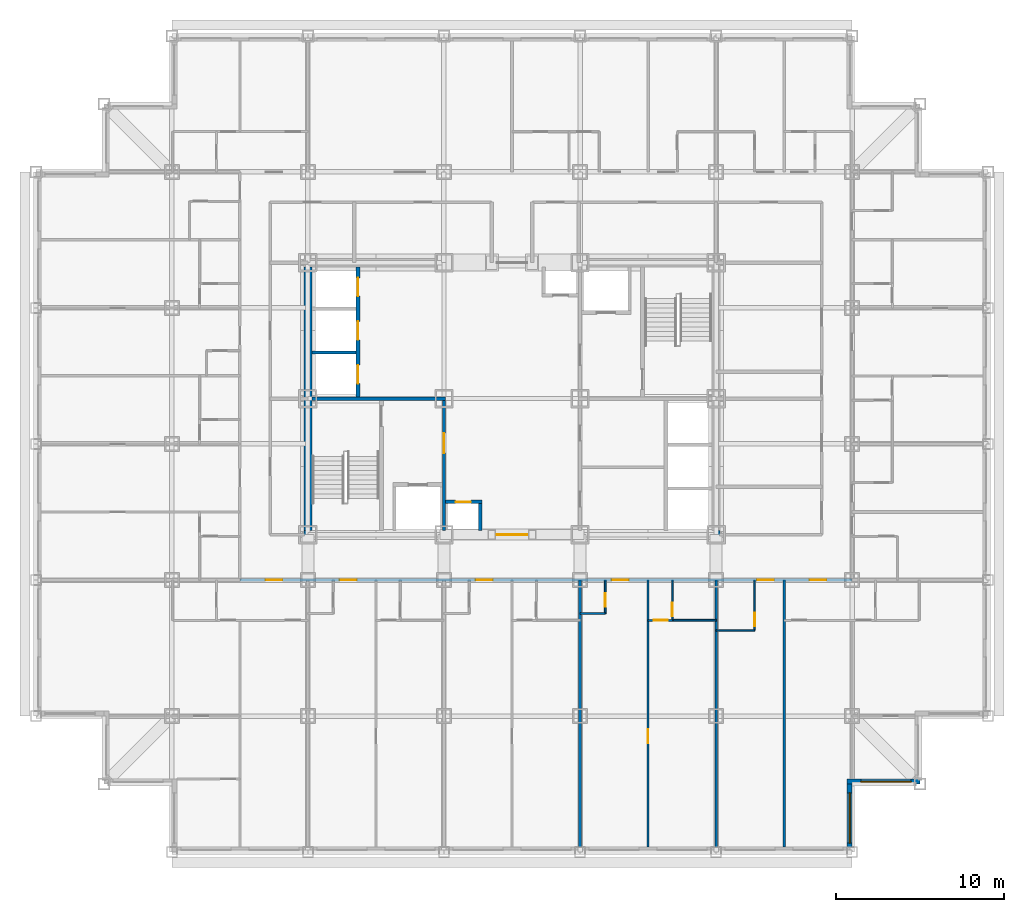
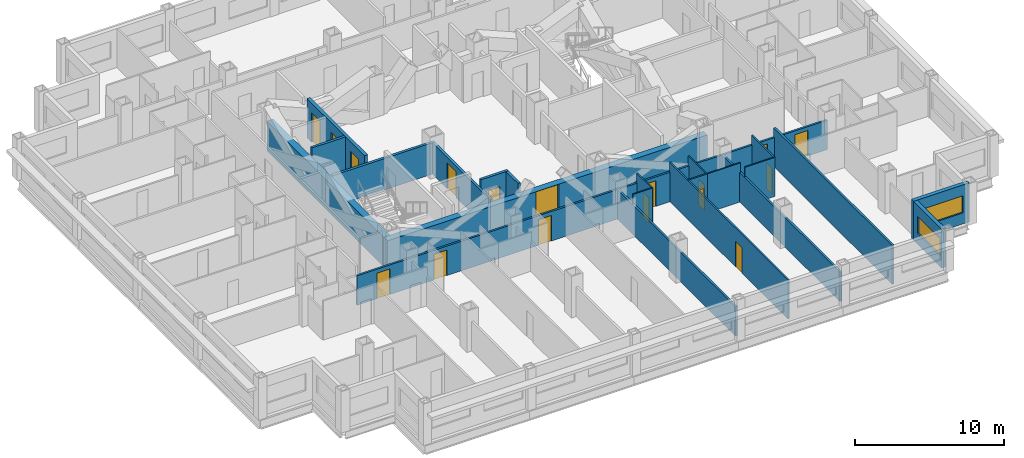
# One storey, part 6 of 12: 22 walls, 17 doors, 2 windows, 19 openings.
"""IFC4 building model written with IfcOpenShell, lengths in metres."""

from ifc_helpers import new_model, si_unit, direction, frame, frame_2d, origin, place, context, subcontext, project, spatial, rectangle, extrude, material, layer, layer_set, type_object, element, fill, save


model = new_model("IFC4")

# Units and contexts
model_context = context("Model", 3, precision=1e-05, world=origin(), true_north=direction((0.0, 1.0)))
body_context = subcontext(model_context, "Body", "Model", "MODEL_VIEW")
ifc_project = project(units=[si_unit("LENGTHUNIT", "METRE"), si_unit("AREAUNIT", "SQUARE_METRE"), si_unit("VOLUMEUNIT", "CUBIC_METRE"), si_unit("PLANEANGLEUNIT", "RADIAN"), si_unit("MASSUNIT", "GRAM", prefix="KILO")], contexts=[model_context])

# Site, building, storey
site_placement = place(None, origin())
site = spatial("IfcSite", under=ifc_project, at=site_placement, CompositionType="ELEMENT")
building_placement = place(site_placement, origin())
building = spatial("IfcBuilding", under=site, at=building_placement, Name="Kopane Lantern Tower", CompositionType="ELEMENT")
storey_placement = place(building_placement, frame((0.0, 0.0, 147.60009765625)))
storey = spatial("IfcBuildingStorey", under=building, at=storey_placement, Name="L38", CompositionType="ELEMENT", Elevation=147.60009765625)

# Wall, opening, door
ifc_material_1 = material(Name="Gypsum board on steel studs", Category="steel")
ifc_layer_1 = layer(ifc_material_1, 0.1201171875)
ifc_layer_set_1 = layer_set([ifc_layer_1], Name="APARTMENT INTERNAL WALL 120")
wall_type_1 = type_object("IfcWallType", Name="APARTMENT INTERNAL WALL 120", PredefinedType="PARTITIONING", material=ifc_layer_set_1)
wall_1_placement = place(storey_placement, frame((36.449951171875, 21.60009765625, 0.0), z_axis=(0.0, 0.0, 1.0), x_axis=(0.0, -1.0, 0.0)))
wall_1 = element("IfcWall", 1, at=wall_1_placement, inside=storey, type_object=wall_type_1, Name="Apartment Internal Wall 120 L38", PredefinedType="PARTITIONING", context=body_context, shape_type="SweptSolid", body=[
    extrude(rectangle(XDim=15.900146484375, YDim=0.1201171875, at=frame_2d((7.9501953125, 0.0))), origin(), (0.0, 0.0, 1.0), 3.18994140625),
])
opening_1_placement = place(wall_1_placement, frame((8.875, 0.0, 0.0)))
opening_1 = element("IfcOpeningElement", 2, at=opening_1_placement, cuts=wall_1, Name="Opening L38-023", PredefinedType="OPENING", context=body_context, shape_type="SweptSolid", body=[
    extrude(rectangle(XDim=0.85009765625, YDim=2.10009765625, at=frame_2d((0.425048828125, 1.050048828125))), frame((0.0, 0.070068359375, 0.0), z_axis=(0.0, -1.0, 0.0), x_axis=(1.0, 0.0, 0.0)), (0.0, 0.0, 1.0), 0.14013671875),
])
ifc_material_2 = material(Name="Timber door set", Category="wood")
door_type_1 = type_object("IfcDoorType", Name="DOOR D4 850x2100", OperationType="SINGLE_SWING_LEFT", PredefinedType="DOOR", material=ifc_material_2)
door_1_placement = place(opening_1_placement, origin())
door_1 = element("IfcDoor", 3, at=door_1_placement, inside=storey, type_object=door_type_1, Name="Door L38-023", OperationType="SINGLE_SWING_LEFT", OverallHeight=2.10009765625, OverallWidth=0.85009765625, PredefinedType="DOOR", context=body_context, shape_type="SweptSolid", body=[
    extrude(rectangle(XDim=0.85009765625, YDim=2.10009765625, at=frame_2d((0.425048828125, 1.050048828125))), frame((0.0, 0.02490234375, 0.0), z_axis=(0.0, -1.0, 0.0), x_axis=(1.0, 0.0, 0.0)), (0.0, 0.0, 1.0), 0.050048828125),
])
fill(opening_1, door_1)

wall_2_placement = place(storey_placement, frame((37.909912109375, 19.199951171875, 0.0), z_axis=(0.0, 0.0, 1.0), x_axis=(-1.0, 0.0, 0.0)))
wall_2 = element("IfcWall", 4, at=wall_2_placement, inside=storey, type_object=wall_type_1, Name="Apartment Internal Wall 120 L38", PredefinedType="PARTITIONING", context=body_context, shape_type="SweptSolid", body=[
    extrude(rectangle(XDim=1.4599609375, YDim=0.1201171875, at=frame_2d((0.72998046875, 0.0))), origin(), (0.0, 0.0, 1.0), 3.18994140625),
])
opening_2_placement = place(wall_2_placement, frame((0.27490234375, 0.0, 0.0)))
opening_2 = element("IfcOpeningElement", 5, at=opening_2_placement, cuts=wall_2, Name="Opening L38-075", PredefinedType="OPENING", context=body_context, shape_type="SweptSolid", body=[
    extrude(rectangle(XDim=0.85009765625, YDim=2.10009765625, at=frame_2d((0.425048828125, 1.050048828125))), frame((0.0, 0.070068359375, 0.0), z_axis=(0.0, -1.0, 0.0), x_axis=(1.0, 0.0, 0.0)), (0.0, 0.0, 1.0), 0.14013671875),
])
door_2_placement = place(opening_2_placement, origin())
door_2 = element("IfcDoor", 6, at=door_2_placement, inside=storey, type_object=door_type_1, Name="Door L38-075", OperationType="SINGLE_SWING_RIGHT", OverallHeight=2.10009765625, OverallWidth=0.85009765625, PredefinedType="DOOR", context=body_context, shape_type="SweptSolid", body=[
    extrude(rectangle(XDim=0.85009765625, YDim=2.10009765625, at=frame_2d((0.425048828125, 1.050048828125))), frame((0.0, 0.02490234375, 0.0), z_axis=(0.0, -1.0, 0.0), x_axis=(1.0, 0.0, 0.0)), (0.0, 0.0, 1.0), 0.050048828125),
])
fill(opening_2, door_2)

# Wall
ifc_material_3 = material(Name="Moisture-resistant board on steel studs", Category="steel")
ifc_layer_2 = layer(ifc_material_3, 0.10009765625)
ifc_layer_set_2 = layer_set([ifc_layer_2], Name="BATHROOM WALL 100")
wall_type_2 = type_object("IfcWallType", Name="BATHROOM WALL 100", PredefinedType="PARTITIONING", material=ifc_layer_set_2)
wall_3_placement = place(storey_placement, frame((32.39990234375, 19.60009765625, 0.0), z_axis=(0.0, 0.0, 1.0), x_axis=(1.0, 0.0, 0.0)))
element("IfcWall", 7, at=wall_3_placement, inside=storey, type_object=wall_type_2, Name="Bathroom Wall 100 L38", PredefinedType="PARTITIONING", context=body_context, shape_type="SweptSolid", body=[
    extrude(rectangle(XDim=1.5, YDim=0.10009765625, at=frame_2d((0.75, 0.0))), origin(), (0.0, 0.0, 1.0), 3.18994140625),
])

# Wall, opening, door
wall_4_placement = place(storey_placement, frame((33.89990234375, 21.60009765625, 0.0), z_axis=(0.0, 0.0, 1.0), x_axis=(0.0, -1.0, 0.0)))
wall_4 = element("IfcWall", 8, at=wall_4_placement, inside=storey, type_object=wall_type_2, Name="Bathroom Wall 100 L38", PredefinedType="PARTITIONING", context=body_context, shape_type="SweptSolid", body=[
    extrude(rectangle(XDim=2.0, YDim=0.10009765625, at=frame_2d((1.0, 0.0))), origin(), (0.0, 0.0, 1.0), 3.18994140625),
])
opening_3_placement = place(wall_4_placement, frame((0.800048828125, 0.0, 0.0)))
opening_3 = element("IfcOpeningElement", 9, at=opening_3_placement, cuts=wall_4, Name="Opening L38-020", PredefinedType="OPENING", context=body_context, shape_type="SweptSolid", body=[
    extrude(rectangle(XDim=0.800048828125, YDim=2.10009765625, at=frame_2d((0.39990234375, 1.050048828125))), frame((0.0, 0.06005859375, 0.0), z_axis=(0.0, -1.0, 0.0), x_axis=(1.0, 0.0, 0.0)), (0.0, 0.0, 1.0), 0.1201171875),
])
ifc_material_4 = material(Name="Timber door set", Category="wood")
door_type_2 = type_object("IfcDoorType", Name="DOOR D2 800x2100", OperationType="SINGLE_SWING_LEFT", PredefinedType="DOOR", material=ifc_material_4)
door_3_placement = place(opening_3_placement, origin())
door_3 = element("IfcDoor", 10, at=door_3_placement, inside=storey, type_object=door_type_2, Name="Door L38-020", OperationType="SINGLE_SWING_LEFT", OverallHeight=2.10009765625, OverallWidth=0.800048828125, PredefinedType="DOOR", context=body_context, shape_type="SweptSolid", body=[
    extrude(rectangle(XDim=0.800048828125, YDim=2.10009765625, at=frame_2d((0.39990234375, 1.050048828125))), frame((0.0, 0.02490234375, 0.0), z_axis=(0.0, -1.0, 0.0), x_axis=(1.0, 0.0, 0.0)), (0.0, 0.0, 1.0), 0.050048828125),
])
fill(opening_3, door_3)

# Wall
wall_5_placement = place(storey_placement, frame((37.89990234375, 19.199951171875, 0.0), z_axis=(0.0, 0.0, 1.0), x_axis=(1.0, 0.0, 0.0)))
element("IfcWall", 11, at=wall_5_placement, inside=storey, type_object=wall_type_2, Name="Bathroom Wall 100 L38", PredefinedType="PARTITIONING", context=body_context, shape_type="SweptSolid", body=[
    extrude(rectangle(XDim=2.60009765625, YDim=0.10009765625, at=frame_2d((1.300048828125, 0.0))), origin(), (0.0, 0.0, 1.0), 3.18994140625),
])

# Wall, opening, door
wall_6_placement = place(storey_placement, frame((37.89990234375, 21.60009765625, 0.0), z_axis=(0.0, 0.0, 1.0), x_axis=(0.0, -1.0, 0.0)))
wall_6 = element("IfcWall", 12, at=wall_6_placement, inside=storey, type_object=wall_type_2, Name="Bathroom Wall 100 L38", PredefinedType="PARTITIONING", context=body_context, shape_type="SweptSolid", body=[
    extrude(rectangle(XDim=2.400146484375, YDim=0.10009765625, at=frame_2d((1.2001953125, 0.0))), origin(), (0.0, 0.0, 1.0), 3.18994140625),
])
opening_4_placement = place(wall_6_placement, frame((1.35009765625, 0.0, 0.0)))
opening_4 = element("IfcOpeningElement", 13, at=opening_4_placement, cuts=wall_6, Name="Opening L38-022", PredefinedType="OPENING", context=body_context, shape_type="SweptSolid", body=[
    extrude(rectangle(XDim=0.800048828125, YDim=2.10009765625, at=frame_2d((0.39990234375, 1.050048828125))), frame((0.0, 0.06005859375, 0.0), z_axis=(0.0, -1.0, 0.0), x_axis=(1.0, 0.0, 0.0)), (0.0, 0.0, 1.0), 0.1201171875),
])
door_4_placement = place(opening_4_placement, origin())
door_4 = element("IfcDoor", 14, at=door_4_placement, inside=storey, type_object=door_type_2, Name="Door L38-022", OperationType="SINGLE_SWING_LEFT", OverallHeight=2.10009765625, OverallWidth=0.800048828125, PredefinedType="DOOR", context=body_context, shape_type="SweptSolid", body=[
    extrude(rectangle(XDim=0.800048828125, YDim=2.10009765625, at=frame_2d((0.39990234375, 1.050048828125))), frame((0.0, 0.02490234375, 0.0), z_axis=(0.0, -1.0, 0.0), x_axis=(1.0, 0.0, 0.0)), (0.0, 0.0, 1.0), 0.050048828125),
])
fill(opening_4, door_4)

# Wall
wall_7_placement = place(storey_placement, frame((40.5, 18.60009765625, 0.0), z_axis=(0.0, 0.0, 1.0), x_axis=(1.0, 0.0, 0.0)))
element("IfcWall", 15, at=wall_7_placement, inside=storey, type_object=wall_type_2, Name="Bathroom Wall 100 L38", PredefinedType="PARTITIONING", context=body_context, shape_type="SweptSolid", body=[
    extrude(rectangle(XDim=2.300048828125, YDim=0.10009765625, at=frame_2d((1.14990234375, 0.0))), origin(), (0.0, 0.0, 1.0), 3.18994140625),
])

# Wall, opening, door
wall_8_placement = place(storey_placement, frame((42.800048828125, 21.60009765625, 0.0), z_axis=(0.0, 0.0, 1.0), x_axis=(0.0, -1.0, 0.0)))
wall_8 = element("IfcWall", 16, at=wall_8_placement, inside=storey, type_object=wall_type_2, Name="Bathroom Wall 100 L38", PredefinedType="PARTITIONING", context=body_context, shape_type="SweptSolid", body=[
    extrude(rectangle(XDim=3.0, YDim=0.10009765625, at=frame_2d((1.5, 0.0))), origin(), (0.0, 0.0, 1.0), 3.18994140625),
])
opening_5_placement = place(wall_8_placement, frame((1.949951171875, 0.0, 0.0)))
opening_5 = element("IfcOpeningElement", 17, at=opening_5_placement, cuts=wall_8, Name="Opening L38-024", PredefinedType="OPENING", context=body_context, shape_type="SweptSolid", body=[
    extrude(rectangle(XDim=0.800048828125, YDim=2.10009765625, at=frame_2d((0.39990234375, 1.050048828125))), frame((0.0, 0.06005859375, 0.0), z_axis=(0.0, -1.0, 0.0), x_axis=(1.0, 0.0, 0.0)), (0.0, 0.0, 1.0), 0.1201171875),
])
door_5_placement = place(opening_5_placement, origin())
door_5 = element("IfcDoor", 18, at=door_5_placement, inside=storey, type_object=door_type_2, Name="Door L38-024", OperationType="SINGLE_SWING_LEFT", OverallHeight=2.10009765625, OverallWidth=0.800048828125, PredefinedType="DOOR", context=body_context, shape_type="SweptSolid", body=[
    extrude(rectangle(XDim=0.800048828125, YDim=2.10009765625, at=frame_2d((0.39990234375, 1.050048828125))), frame((0.0, 0.02490234375, 0.0), z_axis=(0.0, -1.0, 0.0), x_axis=(1.0, 0.0, 0.0)), (0.0, 0.0, 1.0), 0.050048828125),
])
fill(opening_5, door_5)

ifc_material_5 = material(Name="Gypsum shaft wall EI 120", Category="gypsum")
ifc_layer_3 = layer(ifc_material_5, 0.5)
ifc_layer_set_3 = layer_set([ifc_layer_3], Name="CORE PERIMETER WALL 500 EI 120")
wall_type_3 = type_object("IfcWallType", Name="CORE PERIMETER WALL 500 EI 120", PredefinedType="SOLIDWALL", material=ifc_layer_set_3)
wall_9_placement = place(storey_placement, frame((15.949951171875, 24.300048828125, 0.0), z_axis=(0.0, 0.0, 1.0), x_axis=(1.0, 0.0, 0.0)))
wall_9 = element("IfcWall", 19, at=wall_9_placement, inside=storey, type_object=wall_type_3, Name="Core shaft wall L38 PS", PredefinedType="SOLIDWALL", context=body_context, shape_type="SweptSolid", body=[
    extrude(rectangle(XDim=24.800048828125, YDim=0.5, at=frame_2d((12.39990234375, 0.0))), origin(), (0.0, 0.0, 1.0), 2.420166015625),
])
opening_6_placement = place(wall_9_placement, frame((11.5, 0.0, 0.0)))
opening_6 = element("IfcOpeningElement", 20, at=opening_6_placement, cuts=wall_9, Name="Opening 38.CE-S", PredefinedType="OPENING", context=body_context, shape_type="SweptSolid", body=[
    extrude(rectangle(XDim=1.800048828125, YDim=2.39990234375, at=frame_2d((0.89990234375, 1.199951171875))), frame((0.0, 0.260009765625, 0.0), z_axis=(0.0, -1.0, 0.0), x_axis=(1.0, 0.0, 0.0)), (0.0, 0.0, 1.0), 0.52001953125),
])
ifc_material_6 = material(Name="Steel door set", Category="steel")
door_type_3 = type_object("IfcDoorType", Name="CORE ENTRY DOOR 1800x2400 FD60S", OperationType="DOUBLE_DOOR_SINGLE_SWING", PredefinedType="DOOR", material=ifc_material_6)
door_6_placement = place(opening_6_placement, origin())
door_6 = element("IfcDoor", 21, at=door_6_placement, inside=storey, type_object=door_type_3, Name="Core entry door L38 south", OperationType="DOUBLE_DOOR_SINGLE_SWING", OverallHeight=2.39990234375, OverallWidth=1.800048828125, PredefinedType="DOOR", context=body_context, shape_type="SweptSolid", body=[
    extrude(rectangle(XDim=1.800048828125, YDim=2.39990234375, at=frame_2d((0.89990234375, 1.199951171875))), frame((0.0, 0.02490234375, 0.0), z_axis=(0.0, -1.0, 0.0), x_axis=(1.0, 0.0, 0.0)), (0.0, 0.0, 1.0), 0.050048828125),
])
fill(opening_6, door_6)

# Wall
wall_10_placement = place(storey_placement, frame((16.199951171875, 24.550048828125, 0.0), z_axis=(0.0, 0.0, 1.0), x_axis=(0.0, 1.0, 0.0)))
element("IfcWall", 22, at=wall_10_placement, inside=storey, type_object=wall_type_3, Name="Core shaft wall L38 PW", PredefinedType="SOLIDWALL", context=body_context, shape_type="SweptSolid", body=[
    extrude(rectangle(XDim=15.699951171875, YDim=0.5, at=frame_2d((7.85009765625, 0.0))), origin(), (0.0, 0.0, 1.0), 2.420166015625),
])

# Wall, openings, doors
ifc_material_7 = material(Name="Gypsum shaft wall EI 120", Category="gypsum")
ifc_layer_4 = layer(ifc_material_7, 0.25)
ifc_layer_set_4 = layer_set([ifc_layer_4], Name="CORE SHAFT WALL 250 EI 120")
wall_type_4 = type_object("IfcWallType", Name="CORE SHAFT WALL 250 EI 120", PredefinedType="SOLIDWALL", material=ifc_layer_set_4)
wall_11_placement = place(storey_placement, frame((19.175048828125, 32.5, 0.0), z_axis=(0.0, 0.0, 1.0), x_axis=(0.0, 1.0, 0.0)))
wall_11 = element("IfcWall", 23, at=wall_11_placement, inside=storey, type_object=wall_type_4, Name="Core shaft wall L38 XLH", PredefinedType="SOLIDWALL", context=body_context, shape_type="SweptSolid", body=[
    extrude(rectangle(XDim=7.75, YDim=0.25, at=frame_2d((3.875, 0.0))), origin(), (0.0, 0.0, 1.0), 3.18994140625),
])
opening_7_placement = place(wall_11_placement, frame((0.800048828125, 0.0, 0.0)))
opening_7 = element("IfcOpeningElement", 24, at=opening_7_placement, cuts=wall_11, Name="Opening 38.LD-LH1", PredefinedType="OPENING", context=body_context, shape_type="SweptSolid", body=[
    extrude(rectangle(XDim=1.10009765625, YDim=2.39990234375, at=frame_2d((0.550048828125, 1.199951171875))), frame((0.0, 0.135009765625, 0.0), z_axis=(0.0, -1.0, 0.0), x_axis=(1.0, 0.0, 0.0)), (0.0, 0.0, 1.0), 0.27001953125),
])
opening_8_placement = place(wall_11_placement, frame((3.39990234375, 0.0, 0.0)))
opening_8 = element("IfcOpeningElement", 25, at=opening_8_placement, cuts=wall_11, Name="Opening 38.LD-LH2", PredefinedType="OPENING", context=body_context, shape_type="SweptSolid", body=[
    extrude(rectangle(XDim=1.10009765625, YDim=2.39990234375, at=frame_2d((0.550048828125, 1.199951171875))), frame((0.0, 0.135009765625, 0.0), z_axis=(0.0, -1.0, 0.0), x_axis=(1.0, 0.0, 0.0)), (0.0, 0.0, 1.0), 0.27001953125),
])
opening_9_placement = place(wall_11_placement, frame((6.0, 0.0, 0.0)))
opening_9 = element("IfcOpeningElement", 26, at=opening_9_placement, cuts=wall_11, Name="Opening 38.LD-LH3", PredefinedType="OPENING", context=body_context, shape_type="SweptSolid", body=[
    extrude(rectangle(XDim=1.10009765625, YDim=2.39990234375, at=frame_2d((0.550048828125, 1.199951171875))), frame((0.0, 0.135009765625, 0.0), z_axis=(0.0, -1.0, 0.0), x_axis=(1.0, 0.0, 0.0)), (0.0, 0.0, 1.0), 0.27001953125),
])
ifc_material_8 = material(Name="Steel door set", Category="steel")
door_type_4 = type_object("IfcDoorType", Name="LIFT LANDING DOOR 1100x2400 FD60", OperationType="DOUBLE_DOOR_SLIDING", PredefinedType="DOOR", material=ifc_material_8)
door_7_placement = place(opening_7_placement, origin())
door_7 = element("IfcDoor", 27, at=door_7_placement, inside=storey, type_object=door_type_4, Name="Landing door LH1 L38", OperationType="DOUBLE_DOOR_SLIDING", OverallHeight=2.39990234375, OverallWidth=1.10009765625, PredefinedType="DOOR", context=body_context, shape_type="SweptSolid", body=[
    extrude(rectangle(XDim=1.10009765625, YDim=2.39990234375, at=frame_2d((0.550048828125, 1.199951171875))), frame((0.0, 0.02490234375, 0.0), z_axis=(0.0, -1.0, 0.0), x_axis=(1.0, 0.0, 0.0)), (0.0, 0.0, 1.0), 0.050048828125),
])
fill(opening_7, door_7)
door_8_placement = place(opening_8_placement, origin())
door_8 = element("IfcDoor", 28, at=door_8_placement, inside=storey, type_object=door_type_4, Name="Landing door LH2 L38", OperationType="DOUBLE_DOOR_SLIDING", OverallHeight=2.39990234375, OverallWidth=1.10009765625, PredefinedType="DOOR", context=body_context, shape_type="SweptSolid", body=[
    extrude(rectangle(XDim=1.10009765625, YDim=2.39990234375, at=frame_2d((0.550048828125, 1.199951171875))), frame((0.0, 0.02490234375, 0.0), z_axis=(0.0, -1.0, 0.0), x_axis=(1.0, 0.0, 0.0)), (0.0, 0.0, 1.0), 0.050048828125),
])
fill(opening_8, door_8)
door_9_placement = place(opening_9_placement, origin())
door_9 = element("IfcDoor", 29, at=door_9_placement, inside=storey, type_object=door_type_4, Name="Landing door LH3 L38", OperationType="DOUBLE_DOOR_SLIDING", OverallHeight=2.39990234375, OverallWidth=1.10009765625, PredefinedType="DOOR", context=body_context, shape_type="SweptSolid", body=[
    extrude(rectangle(XDim=1.10009765625, YDim=2.39990234375, at=frame_2d((0.550048828125, 1.199951171875))), frame((0.0, 0.02490234375, 0.0), z_axis=(0.0, -1.0, 0.0), x_axis=(1.0, 0.0, 0.0)), (0.0, 0.0, 1.0), 0.050048828125),
])
fill(opening_9, door_9)

ifc_material_9 = material(Name="Gypsum board on steel studs", Category="steel")
ifc_layer_5 = layer(ifc_material_9, 0.14990234375)
ifc_layer_set_5 = layer_set([ifc_layer_5], Name="CORRIDOR WALL 150 EI 60")
wall_type_5 = type_object("IfcWallType", Name="CORRIDOR WALL 150 EI 60", PredefinedType="PARTITIONING", material=ifc_layer_set_5)
wall_12_placement = place(storey_placement, frame((12.14990234375, 21.60009765625, 0.0), z_axis=(0.0, 0.0, 1.0), x_axis=(1.0, 0.0, 0.0)))
wall_12 = element("IfcWall", 30, at=wall_12_placement, inside=storey, type_object=wall_type_5, Name="Corridor Wall 150 Ei 60 L38", PredefinedType="PARTITIONING", context=body_context, shape_type="SweptSolid", body=[
    extrude(rectangle(XDim=36.4501953125, YDim=0.14990234375, at=frame_2d((18.22509765625, 0.0))), origin(), (0.0, 0.0, 1.0), 2.420166015625),
])
opening_10_placement = place(wall_12_placement, frame((5.949951171875, 0.0, 0.0)))
opening_10 = element("IfcOpeningElement", 31, at=opening_10_placement, cuts=wall_12, Name="Opening L38-013", PredefinedType="OPENING", context=body_context, shape_type="SweptSolid", body=[
    extrude(rectangle(XDim=1.0, YDim=2.10009765625, at=frame_2d((0.5, 1.050048828125))), frame((0.0, 0.0849609375, 0.0), z_axis=(0.0, -1.0, 0.0), x_axis=(1.0, 0.0, 0.0)), (0.0, 0.0, 1.0), 0.169921875),
])
opening_11_placement = place(wall_12_placement, frame((14.050048828125, 0.0, 0.0)))
opening_11 = element("IfcOpeningElement", 32, at=opening_11_placement, cuts=wall_12, Name="Opening L38-017", PredefinedType="OPENING", context=body_context, shape_type="SweptSolid", body=[
    extrude(rectangle(XDim=1.0, YDim=2.10009765625, at=frame_2d((0.5, 1.050048828125))), frame((0.0, 0.0849609375, 0.0), z_axis=(0.0, -1.0, 0.0), x_axis=(1.0, 0.0, 0.0)), (0.0, 0.0, 1.0), 0.169921875),
])
opening_12_placement = place(wall_12_placement, frame((22.14990234375, 0.0, 0.0)))
opening_12 = element("IfcOpeningElement", 33, at=opening_12_placement, cuts=wall_12, Name="Opening L38-021", PredefinedType="OPENING", context=body_context, shape_type="SweptSolid", body=[
    extrude(rectangle(XDim=1.0, YDim=2.10009765625, at=frame_2d((0.5, 1.050048828125))), frame((0.0, 0.0849609375, 0.0), z_axis=(0.0, -1.0, 0.0), x_axis=(1.0, 0.0, 0.0)), (0.0, 0.0, 1.0), 0.169921875),
])
opening_13_placement = place(wall_12_placement, frame((30.800048828125, 0.0, 0.0)))
opening_13 = element("IfcOpeningElement", 34, at=opening_13_placement, cuts=wall_12, Name="Opening L38-025", PredefinedType="OPENING", context=body_context, shape_type="SweptSolid", body=[
    extrude(rectangle(XDim=1.0, YDim=2.10009765625, at=frame_2d((0.5, 1.050048828125))), frame((0.0, 0.0849609375, 0.0), z_axis=(0.0, -1.0, 0.0), x_axis=(1.0, 0.0, 0.0)), (0.0, 0.0, 1.0), 0.169921875),
])
opening_14_placement = place(wall_12_placement, frame((1.52490234375, 0.0, 0.0)))
opening_14 = element("IfcOpeningElement", 35, at=opening_14_placement, cuts=wall_12, Name="Opening L38-056", PredefinedType="OPENING", context=body_context, shape_type="SweptSolid", body=[
    extrude(rectangle(XDim=1.0, YDim=2.10009765625, at=frame_2d((0.5, 1.050048828125))), frame((0.0, 0.0849609375, 0.0), z_axis=(0.0, -1.0, 0.0), x_axis=(1.0, 0.0, 0.0)), (0.0, 0.0, 1.0), 0.169921875),
])
opening_15_placement = place(wall_12_placement, frame((33.925048828125, 0.0, 0.0)))
opening_15 = element("IfcOpeningElement", 36, at=opening_15_placement, cuts=wall_12, Name="Opening L38-061", PredefinedType="OPENING", context=body_context, shape_type="SweptSolid", body=[
    extrude(rectangle(XDim=1.0, YDim=2.10009765625, at=frame_2d((0.5, 1.050048828125))), frame((0.0, 0.0849609375, 0.0), z_axis=(0.0, -1.0, 0.0), x_axis=(1.0, 0.0, 0.0)), (0.0, 0.0, 1.0), 0.169921875),
])
ifc_material_10 = material(Name="Steel door set", Category="steel")
door_type_5 = type_object("IfcDoorType", Name="DOOR D1 1000x2100 FD30S", OperationType="SINGLE_SWING_LEFT", PredefinedType="DOOR", material=ifc_material_10)
door_10_placement = place(opening_10_placement, origin())
door_10 = element("IfcDoor", 37, at=door_10_placement, inside=storey, type_object=door_type_5, Name="Door L38-013", OperationType="SINGLE_SWING_RIGHT", OverallHeight=2.10009765625, OverallWidth=1.0, PredefinedType="DOOR", context=body_context, shape_type="SweptSolid", body=[
    extrude(rectangle(XDim=1.0, YDim=2.10009765625, at=frame_2d((0.5, 1.050048828125))), frame((0.0, 0.02490234375, 0.0), z_axis=(0.0, -1.0, 0.0), x_axis=(1.0, 0.0, 0.0)), (0.0, 0.0, 1.0), 0.050048828125),
])
fill(opening_10, door_10)
door_11_placement = place(opening_11_placement, origin())
door_11 = element("IfcDoor", 38, at=door_11_placement, inside=storey, type_object=door_type_5, Name="Door L38-017", OperationType="SINGLE_SWING_RIGHT", OverallHeight=2.10009765625, OverallWidth=1.0, PredefinedType="DOOR", context=body_context, shape_type="SweptSolid", body=[
    extrude(rectangle(XDim=1.0, YDim=2.10009765625, at=frame_2d((0.5, 1.050048828125))), frame((0.0, 0.02490234375, 0.0), z_axis=(0.0, -1.0, 0.0), x_axis=(1.0, 0.0, 0.0)), (0.0, 0.0, 1.0), 0.050048828125),
])
fill(opening_11, door_11)
door_12_placement = place(opening_12_placement, origin())
door_12 = element("IfcDoor", 39, at=door_12_placement, inside=storey, type_object=door_type_5, Name="Door L38-021", OperationType="SINGLE_SWING_RIGHT", OverallHeight=2.10009765625, OverallWidth=1.0, PredefinedType="DOOR", context=body_context, shape_type="SweptSolid", body=[
    extrude(rectangle(XDim=1.0, YDim=2.10009765625, at=frame_2d((0.5, 1.050048828125))), frame((0.0, 0.02490234375, 0.0), z_axis=(0.0, -1.0, 0.0), x_axis=(1.0, 0.0, 0.0)), (0.0, 0.0, 1.0), 0.050048828125),
])
fill(opening_12, door_12)
door_13_placement = place(opening_13_placement, origin())
door_13 = element("IfcDoor", 40, at=door_13_placement, inside=storey, type_object=door_type_5, Name="Door L38-025", OperationType="SINGLE_SWING_RIGHT", OverallHeight=2.10009765625, OverallWidth=1.0, PredefinedType="DOOR", context=body_context, shape_type="SweptSolid", body=[
    extrude(rectangle(XDim=1.0, YDim=2.10009765625, at=frame_2d((0.5, 1.050048828125))), frame((0.0, 0.02490234375, 0.0), z_axis=(0.0, -1.0, 0.0), x_axis=(1.0, 0.0, 0.0)), (0.0, 0.0, 1.0), 0.050048828125),
])
fill(opening_13, door_13)
door_14_placement = place(opening_14_placement, origin())
door_14 = element("IfcDoor", 41, at=door_14_placement, inside=storey, type_object=door_type_5, Name="Door L38-056", OperationType="SINGLE_SWING_LEFT", OverallHeight=2.10009765625, OverallWidth=1.0, PredefinedType="DOOR", context=body_context, shape_type="SweptSolid", body=[
    extrude(rectangle(XDim=1.0, YDim=2.10009765625, at=frame_2d((0.5, 1.050048828125))), frame((0.0, 0.02490234375, 0.0), z_axis=(0.0, -1.0, 0.0), x_axis=(1.0, 0.0, 0.0)), (0.0, 0.0, 1.0), 0.050048828125),
])
fill(opening_14, door_14)
door_15_placement = place(opening_15_placement, origin())
door_15 = element("IfcDoor", 42, at=door_15_placement, inside=storey, type_object=door_type_5, Name="Door L38-061", OperationType="SINGLE_SWING_RIGHT", OverallHeight=2.10009765625, OverallWidth=1.0, PredefinedType="DOOR", context=body_context, shape_type="SweptSolid", body=[
    extrude(rectangle(XDim=1.0, YDim=2.10009765625, at=frame_2d((0.5, 1.050048828125))), frame((0.0, 0.02490234375, 0.0), z_axis=(0.0, -1.0, 0.0), x_axis=(1.0, 0.0, 0.0)), (0.0, 0.0, 1.0), 0.050048828125),
])
fill(opening_15, door_15)

# Walls
ifc_material_11 = material(Name="Gypsum board on steel studs", Category="steel")
ifc_layer_6 = layer(ifc_material_11, 0.14990234375)
ifc_layer_set_6 = layer_set([ifc_layer_6], Name="DEMISING WALL 150 EI 60")
wall_type_6 = type_object("IfcWallType", Name="DEMISING WALL 150 EI 60", PredefinedType="PARTITIONING", material=ifc_layer_set_6)
for number, where, z_axis, x_axis, name in (
    (43, (32.39990234375, 21.60009765625, 0.0), (0.0, 0.0, 1.0), (0.0, -1.0, 0.0), "Demising Wall 150 Ei 60 L38"),
    (44, (40.5, 21.60009765625, 0.0), (0.0, 0.0, 1.0), (0.0, -1.0, 0.0), "Demising Wall 150 Ei 60 L38"),
):
    element("IfcWall", number, at=place(storey_placement, frame(where, z_axis=z_axis, x_axis=x_axis)), inside=storey, type_object=wall_type_6, Name=name, PredefinedType="PARTITIONING", context=body_context, shape_type="SweptSolid", body=[
        extrude(rectangle(XDim=15.900146484375, YDim=0.14990234375, at=frame_2d((7.9501953125, 0.0))), origin(), (0.0, 0.0, 1.0), 2.420166015625),
    ])
wall_13_placement = place(storey_placement, frame((44.550048828125, 21.60009765625, 0.0), z_axis=(0.0, 0.0, 1.0), x_axis=(0.0, -1.0, 0.0)))
element("IfcWall", 45, at=wall_13_placement, inside=storey, type_object=wall_type_6, Name="Demising Wall 150 Ei 60 L38", PredefinedType="PARTITIONING", context=body_context, shape_type="SweptSolid", body=[
    extrude(rectangle(XDim=15.900146484375, YDim=0.14990234375, at=frame_2d((7.9501953125, 0.0))), origin(), (0.0, 0.0, 1.0), 3.18994140625),
])

# Wall, opening, window
ifc_material_12 = material(Name="Terracotta rainscreen on light steel framing", Category="masonry")
ifc_layer_7 = layer(ifc_material_12, 0.300048828125)
ifc_layer_set_7 = layer_set([ifc_layer_7], Name="EXTERNAL WALL EW1 300 TERRACOTTA")
wall_type_7 = type_object("IfcWallType", Name="EXTERNAL WALL EW1 300 TERRACOTTA", PredefinedType="SOLIDWALL", material=ifc_layer_set_7)
wall_14_placement = place(storey_placement, frame((48.449951171875, 5.699951171875, 0.0), z_axis=(0.0, 0.0, 1.0), x_axis=(0.0, 1.0, 0.0)))
wall_14 = element("IfcWall", 46, at=wall_14_placement, inside=storey, type_object=wall_type_7, Name="External wall E L38", PredefinedType="SOLIDWALL", context=body_context, shape_type="SweptSolid", body=[
    extrude(rectangle(XDim=3.75, YDim=0.300048828125, at=frame_2d((1.875, 0.0))), origin(), (0.0, 0.0, 1.0), 3.18994140625),
])
opening_16_placement = place(wall_14_placement, frame((0.22509765625, 0.0, 0.89990234375)))
opening_16 = element("IfcOpeningElement", 47, at=opening_16_placement, cuts=wall_14, Name="Opening WR300140", PredefinedType="OPENING", context=body_context, shape_type="SweptSolid", body=[
    extrude(rectangle(XDim=3.0, YDim=1.39990234375, at=frame_2d((1.5, 0.699951171875))), frame((0.0, 0.159912109375, 0.0), z_axis=(0.0, -1.0, 0.0), x_axis=(1.0, 0.0, 0.0)), (0.0, 0.0, 1.0), 0.320068359375),
])
ifc_material_13 = material(Name="Aluminium and clear glass", Category="aluminium")
window_type = type_object("IfcWindowType", Name="RIBBON WINDOW WR300140 3000x1400", PartitioningType="SINGLE_PANEL", PredefinedType="WINDOW", material=ifc_material_13)
window_1_placement = place(opening_16_placement, origin())
window_1 = element("IfcWindow", 48, at=window_1_placement, inside=storey, type_object=window_type, Name="Window E L38", OverallHeight=1.39990234375, OverallWidth=3.0, PartitioningType="SINGLE_PANEL", PredefinedType="WINDOW", context=body_context, shape_type="SweptSolid", body=[
    extrude(rectangle(XDim=3.0, YDim=1.39990234375, at=frame_2d((1.5, 0.699951171875))), frame((0.0, 0.030029296875, 0.0), z_axis=(0.0, -1.0, 0.0), x_axis=(1.0, 0.0, 0.0)), (0.0, 0.0, 1.0), 0.06005859375),
])
fill(opening_16, window_1)

wall_15_placement = place(storey_placement, frame((48.300048828125, 9.60009765625, 0.0), z_axis=(0.0, 0.0, 1.0), x_axis=(1.0, 0.0, 0.0)))
wall_15 = element("IfcWall", 49, at=wall_15_placement, inside=storey, type_object=wall_type_7, Name="External wall S L38", PredefinedType="SOLIDWALL", context=body_context, shape_type="SweptSolid", body=[
    extrude(rectangle(XDim=4.349853515625, YDim=0.300048828125, at=frame_2d((2.1748046875, 0.0))), origin(), (0.0, 0.0, 1.0), 3.18994140625),
])
opening_17_placement = place(wall_15_placement, frame((0.824951171875, 0.0, 0.89990234375)))
opening_17 = element("IfcOpeningElement", 50, at=opening_17_placement, cuts=wall_15, Name="Opening WR300140", PredefinedType="OPENING", context=body_context, shape_type="SweptSolid", body=[
    extrude(rectangle(XDim=3.0, YDim=1.39990234375, at=frame_2d((1.5, 0.699951171875))), frame((0.0, 0.159912109375, 0.0), z_axis=(0.0, -1.0, 0.0), x_axis=(1.0, 0.0, 0.0)), (0.0, 0.0, 1.0), 0.320068359375),
])
window_2_placement = place(opening_17_placement, origin())
window_2 = element("IfcWindow", 51, at=window_2_placement, inside=storey, type_object=window_type, Name="Window S L38", OverallHeight=1.39990234375, OverallWidth=3.0, PartitioningType="SINGLE_PANEL", PredefinedType="WINDOW", context=body_context, shape_type="SweptSolid", body=[
    extrude(rectangle(XDim=3.0, YDim=1.39990234375, at=frame_2d((1.5, 0.699951171875))), frame((0.0, 0.030029296875, 0.0), z_axis=(0.0, -1.0, 0.0), x_axis=(1.0, 0.0, 0.0)), (0.0, 0.0, 1.0), 0.06005859375),
])
fill(opening_17, window_2)

# Wall
ifc_material_14 = material(Name="Gypsum shaft wall EI 120", Category="gypsum")
ifc_layer_8 = layer(ifc_material_14, 0.199951171875)
ifc_layer_set_8 = layer_set([ifc_layer_8], Name="SHAFT WALL 200 EI 120")
wall_type_8 = type_object("IfcWallType", Name="SHAFT WALL 200 EI 120", PredefinedType="SOLIDWALL", material=ifc_layer_set_8)
wall_16_placement = place(storey_placement, frame((16.449951171875, 32.39990234375, 0.0), z_axis=(0.0, 0.0, 1.0), x_axis=(1.0, 0.0, 0.0)))
element("IfcWall", 52, at=wall_16_placement, inside=storey, type_object=wall_type_8, Name="Core shaft wall L38 Y324W", PredefinedType="SOLIDWALL", context=body_context, shape_type="SweptSolid", body=[
    extrude(rectangle(XDim=7.949951171875, YDim=0.199951171875, at=frame_2d((3.97509765625, 0.0))), origin(), (0.0, 0.0, 1.0), 2.57763671875),
])

# Wall, opening, door
wall_17_placement = place(storey_placement, frame((24.300048828125, 24.550048828125, 0.0), z_axis=(0.0, 0.0, 1.0), x_axis=(0.0, 1.0, 0.0)))
wall_17 = element("IfcWall", 53, at=wall_17_placement, inside=storey, type_object=wall_type_8, Name="Core shaft wall L38 X243", PredefinedType="SOLIDWALL", context=body_context, shape_type="SweptSolid", body=[
    extrude(rectangle(XDim=7.75, YDim=0.199951171875, at=frame_2d((3.875, 0.0))), origin(), (0.0, 0.0, 1.0), 2.57763671875),
])
opening_18_placement = place(wall_17_placement, frame((4.60009765625, 0.0, 0.0)))
opening_18 = element("IfcOpeningElement", 54, at=opening_18_placement, cuts=wall_17, Name="Opening 38.FL1", PredefinedType="OPENING", context=body_context, shape_type="SweptSolid", body=[
    extrude(rectangle(XDim=1.199951171875, YDim=2.10009765625, at=frame_2d((0.60009765625, 1.050048828125))), frame((0.0, 0.10986328125, 0.0), z_axis=(0.0, -1.0, 0.0), x_axis=(1.0, 0.0, 0.0)), (0.0, 0.0, 1.0), 0.219970703125),
])
ifc_material_15 = material(Name="Steel door set", Category="steel")
door_type_6 = type_object("IfcDoorType", Name="FIREFIGHTING LOBBY DOOR 1200x2100 FD60S", OperationType="SINGLE_SWING_RIGHT", PredefinedType="DOOR", material=ifc_material_15)
door_16_placement = place(opening_18_placement, origin())
door_16 = element("IfcDoor", 55, at=door_16_placement, inside=storey, type_object=door_type_6, Name="Firefighting lobby door FL1 L38", OperationType="SINGLE_SWING_LEFT", OverallHeight=2.10009765625, OverallWidth=1.199951171875, PredefinedType="DOOR", context=body_context, shape_type="SweptSolid", body=[
    extrude(rectangle(XDim=1.199951171875, YDim=2.10009765625, at=frame_2d((0.60009765625, 1.050048828125))), frame((0.0, 0.02490234375, 0.0), z_axis=(0.0, -1.0, 0.0), x_axis=(1.0, 0.0, 0.0)), (0.0, 0.0, 1.0), 0.050048828125),
])
fill(opening_18, door_16)

# Walls
wall_18_placement = place(storey_placement, frame((16.449951171875, 35.14990234375, 0.0), z_axis=(0.0, 0.0, 1.0), x_axis=(1.0, 0.0, 0.0)))
element("IfcWall", 56, at=wall_18_placement, inside=storey, type_object=wall_type_8, Name="Core shaft wall L38 YLH12", PredefinedType="SOLIDWALL", context=body_context, shape_type="SweptSolid", body=[
    extrude(rectangle(XDim=2.60009765625, YDim=0.199951171875, at=frame_2d((1.300048828125, 0.0))), origin(), (0.0, 0.0, 1.0), 3.18994140625),
])
wall_19_placement = place(storey_placement, frame((26.449951171875, 24.550048828125, 0.0), z_axis=(0.0, 0.0, 1.0), x_axis=(0.0, 1.0, 0.0)))
element("IfcWall", 57, at=wall_19_placement, inside=storey, type_object=wall_type_8, Name="Core shaft wall L38 XRS1", PredefinedType="SOLIDWALL", context=body_context, shape_type="SweptSolid", body=[
    extrude(rectangle(XDim=1.599853515625, YDim=0.199951171875, at=frame_2d((0.7998046875, 0.0))), origin(), (0.0, 0.0, 1.0), 3.18994140625),
])

# Wall, opening, door
wall_20_placement = place(storey_placement, frame((24.39990234375, 26.25, 0.0), z_axis=(0.0, 0.0, 1.0), x_axis=(1.0, 0.0, 0.0)))
wall_20 = element("IfcWall", 58, at=wall_20_placement, inside=storey, type_object=wall_type_8, Name="Core shaft wall L38 YRS1", PredefinedType="SOLIDWALL", context=body_context, shape_type="SweptSolid", body=[
    extrude(rectangle(XDim=2.150146484375, YDim=0.199951171875, at=frame_2d((1.0751953125, 0.0))), origin(), (0.0, 0.0, 1.0), 3.18994140625),
])
opening_19_placement = place(wall_20_placement, frame((0.60009765625, 0.0, 0.0)))
opening_19 = element("IfcOpeningElement", 59, at=opening_19_placement, cuts=wall_20, Name="Opening 38.RS1", PredefinedType="OPENING", context=body_context, shape_type="SweptSolid", body=[
    extrude(rectangle(XDim=0.89990234375, YDim=2.10009765625, at=frame_2d((0.449951171875, 1.050048828125))), frame((0.0, 0.10986328125, 0.0), z_axis=(0.0, -1.0, 0.0), x_axis=(1.0, 0.0, 0.0)), (0.0, 0.0, 1.0), 0.219970703125),
])
ifc_material_16 = material(Name="Steel door set", Category="steel")
door_type_7 = type_object("IfcDoorType", Name="RISER ACCESS DOOR 900x2100 FD60", OperationType="SINGLE_SWING_LEFT", PredefinedType="DOOR", material=ifc_material_16)
door_17_placement = place(opening_19_placement, origin())
door_17 = element("IfcDoor", 60, at=door_17_placement, inside=storey, type_object=door_type_7, Name="Riser access door RS1 L38", OperationType="SINGLE_SWING_LEFT", OverallHeight=2.10009765625, OverallWidth=0.89990234375, PredefinedType="DOOR", context=body_context, shape_type="SweptSolid", body=[
    extrude(rectangle(XDim=0.89990234375, YDim=2.10009765625, at=frame_2d((0.449951171875, 1.050048828125))), frame((0.0, 0.02490234375, 0.0), z_axis=(0.0, -1.0, 0.0), x_axis=(1.0, 0.0, 0.0)), (0.0, 0.0, 1.0), 0.050048828125),
])
fill(opening_19, door_17)

save(model, "model.ifc")
